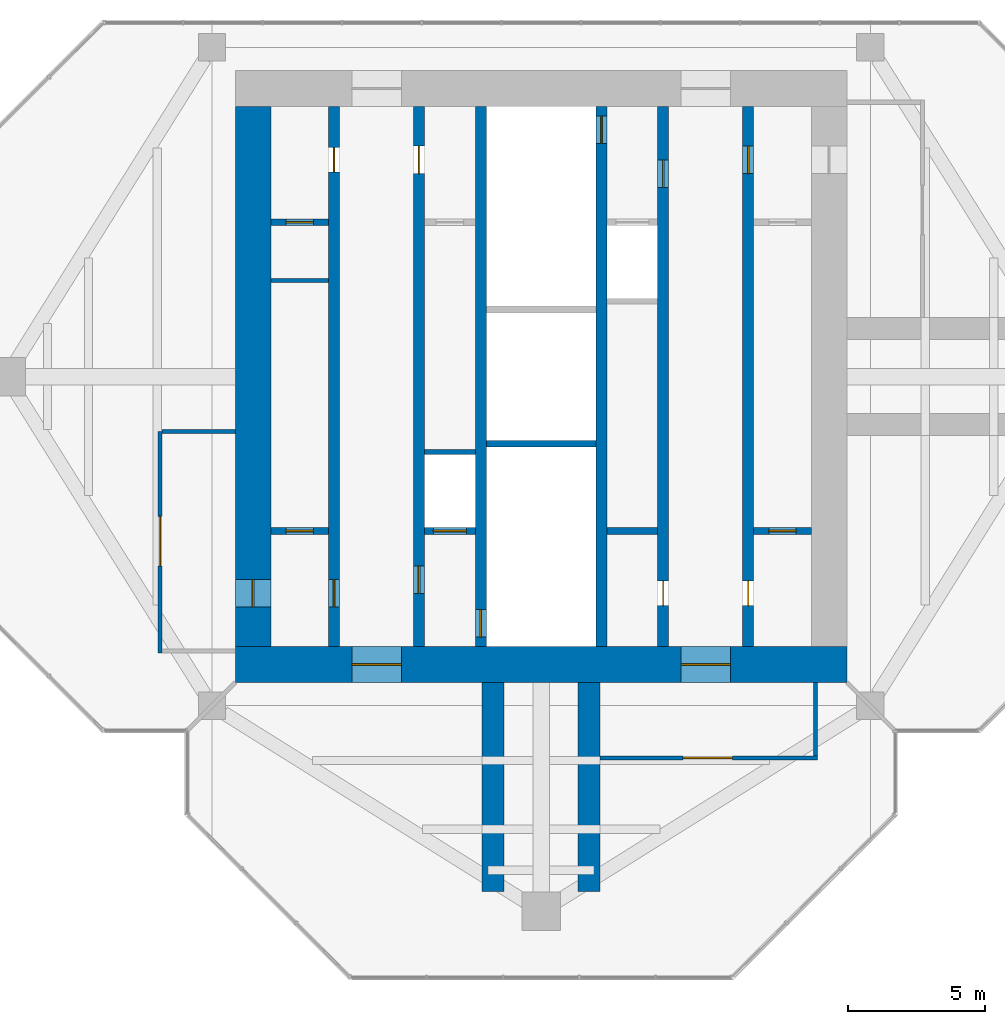
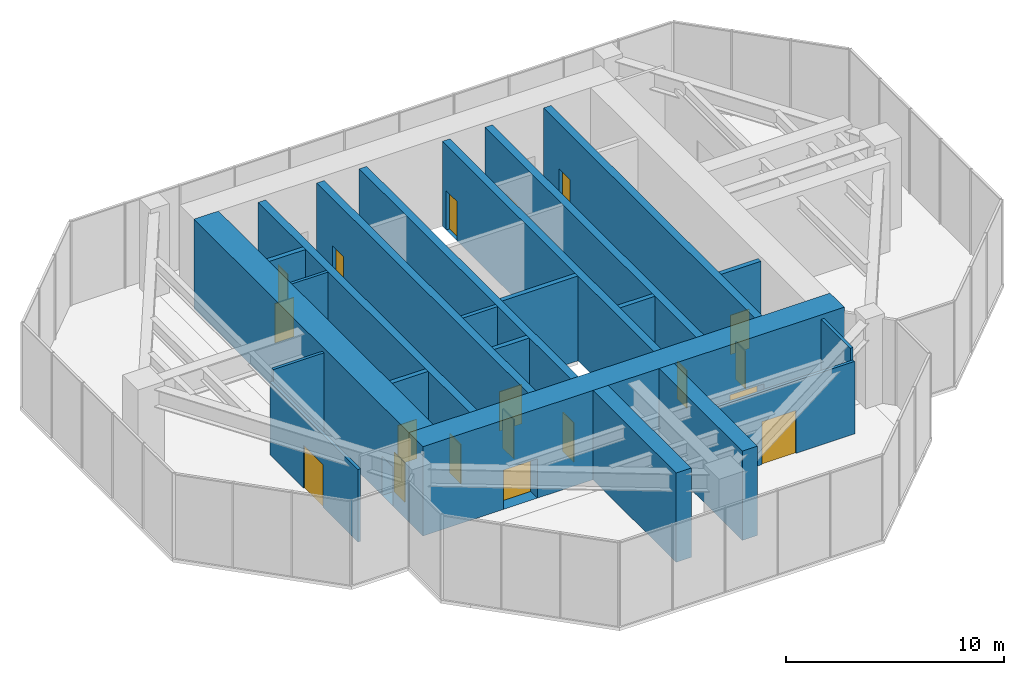
# One storey, part 9 of 10: 22 walls, 19 doors, 19 openings.
"""IFC4 building model written with IfcOpenShell, lengths in metres."""

from ifc_helpers import new_model, si_unit, direction, frame, frame_2d, origin, place, context, subcontext, project, spatial, rectangle, extrude, material, layer, layer_set, type_object, element, fill, save


model = new_model("IFC4")

# Units and contexts
model_context = context("Model", 3, precision=1e-05, world=origin(), true_north=direction((0.0, 1.0)))
body_context = subcontext(model_context, "Body", "Model", "MODEL_VIEW")
ifc_project = project(units=[si_unit("LENGTHUNIT", "METRE"), si_unit("AREAUNIT", "SQUARE_METRE"), si_unit("VOLUMEUNIT", "CUBIC_METRE"), si_unit("PLANEANGLEUNIT", "RADIAN"), si_unit("MASSUNIT", "GRAM", prefix="KILO")], contexts=[model_context])

# Site, building, storey
site_placement = place(None, origin())
site = spatial("IfcSite", under=ifc_project, at=site_placement, CompositionType="ELEMENT")
building_placement = place(site_placement, origin())
building = spatial("IfcBuilding", under=site, at=building_placement, Name="Mizan Broadcast Tower", CompositionType="ELEMENT")
storey_placement = place(building_placement, frame((0.0, 0.0, 311.300048828125)))
storey = spatial("IfcBuildingStorey", under=building, at=storey_placement, Name="L74", CompositionType="ELEMENT", Elevation=311.300048828125)

# Wall, openings, doors
ifc_material_1 = material(Name="Concrete C70/85", Category="concrete")
ifc_layer_1 = layer(ifc_material_1, 0.39990234375)
ifc_layer_set_1 = layer_set([ifc_layer_1], Name="Concrete C70/85")
wall_type_1 = type_object("IfcWallType", Name="CORE INTERNAL WALL 400", PredefinedType="SHEAR", material=ifc_layer_set_1)
wall_1_placement = place(storey_placement, frame((-7.550048828125, -9.85009765625, 0.0), z_axis=(0.0, 0.0, 1.0), x_axis=(0.0, 1.0, 0.0)))
wall_1 = element("IfcWall", 1, at=wall_1_placement, inside=storey, type_object=wall_type_1, Name="Core wall CORE/XW1", PredefinedType="SHEAR", context=body_context, shape_type="SweptSolid", body=[
    extrude(rectangle(XDim=19.7001953125, YDim=0.39990234375, at=frame_2d((9.85009765625, 0.0))), origin(), (0.0, 0.0, 1.0), 4.75),
])
opening_1_placement = place(wall_1_placement, frame((1.449951171875, 0.0, 0.0)))
opening_1 = element("IfcOpeningElement", 2, at=opening_1_placement, cuts=wall_1, Name="Opening D10F", PredefinedType="OPENING", context=body_context, shape_type="SweptSolid", body=[
    extrude(rectangle(XDim=1.0, YDim=2.199951171875, at=frame_2d((0.5, 1.10009765625))), frame((0.0, 0.2099609375, 0.0), z_axis=(0.0, -1.0, 0.0), x_axis=(1.0, 0.0, 0.0)), (0.0, 0.0, 1.0), 0.419921875),
])
opening_2_placement = place(wall_1_placement, frame((17.300048828125, 0.0, 0.0)))
opening_2 = element("IfcOpeningElement", 3, at=opening_2_placement, cuts=wall_1, Name="Opening D09", PredefinedType="OPENING", context=body_context, shape_type="SweptSolid", body=[
    extrude(rectangle(XDim=0.89990234375, YDim=2.10009765625, at=frame_2d((0.449951171875, 1.050048828125))), frame((0.0, 0.2099609375, 0.0), z_axis=(0.0, -1.0, 0.0), x_axis=(1.0, 0.0, 0.0)), (0.0, 0.0, 1.0), 0.419921875),
])
ifc_material_2 = material(Name="Steel door leaf in steel frame", Category="steel")
door_type_1 = type_object("IfcDoorType", Name="FIRE DOOR 1000 FD90", OperationType="SINGLE_SWING_LEFT", PredefinedType="DOOR", material=ifc_material_2)
door_1_placement = place(opening_1_placement, origin())
door_1 = element("IfcDoor", 4, at=door_1_placement, inside=storey, type_object=door_type_1, Name="West core passage door", OperationType="SINGLE_SWING_LEFT", OverallHeight=2.199951171875, OverallWidth=1.0, PredefinedType="DOOR", context=body_context, shape_type="SweptSolid", body=[
    extrude(rectangle(XDim=1.0, YDim=2.199951171875, at=frame_2d((0.5, 1.10009765625))), frame((0.0, 0.02490234375, 0.0), z_axis=(0.0, -1.0, 0.0), x_axis=(1.0, 0.0, 0.0)), (0.0, 0.0, 1.0), 0.050048828125),
])
fill(opening_1, door_1)
ifc_material_3 = material(Name="Timber door leaf in aluminium frame", Category="wood")
door_type_2 = type_object("IfcDoorType", Name="TOILET DOOR 900", OperationType="SINGLE_SWING_LEFT", PredefinedType="DOOR", material=ifc_material_3)
door_2_placement = place(opening_2_placement, origin())
door_2 = element("IfcDoor", 5, at=door_2_placement, inside=storey, type_object=door_type_2, Name="Male WC door", OperationType="SINGLE_SWING_RIGHT", OverallHeight=2.10009765625, OverallWidth=0.89990234375, PredefinedType="DOOR", context=body_context, shape_type="SweptSolid", body=[
    extrude(rectangle(XDim=0.89990234375, YDim=2.10009765625, at=frame_2d((0.449951171875, 1.050048828125))), frame((0.0, 0.02490234375, 0.0), z_axis=(0.0, -1.0, 0.0), x_axis=(1.0, 0.0, 0.0)), (0.0, 0.0, 1.0), 0.050048828125),
])
fill(opening_2, door_2)

wall_2_placement = place(storey_placement, frame((7.550048828125, 9.85009765625, 0.0), z_axis=(0.0, 0.0, 1.0), x_axis=(0.0, -1.0, 0.0)))
wall_2 = element("IfcWall", 6, at=wall_2_placement, inside=storey, type_object=wall_type_1, Name="Core wall CORE/XW1E", PredefinedType="SHEAR", context=body_context, shape_type="SweptSolid", body=[
    extrude(rectangle(XDim=19.7001953125, YDim=0.39990234375, at=frame_2d((9.85009765625, 0.0))), origin(), (0.0, 0.0, 1.0), 4.75),
])
opening_3_placement = place(wall_2_placement, frame((1.449951171875, 0.0, 0.0)))
opening_3 = element("IfcOpeningElement", 7, at=opening_3_placement, cuts=wall_2, Name="Opening D10F", PredefinedType="OPENING", context=body_context, shape_type="SweptSolid", body=[
    extrude(rectangle(XDim=1.0, YDim=2.199951171875, at=frame_2d((0.5, 1.10009765625))), frame((0.0, 0.2099609375, 0.0), z_axis=(0.0, -1.0, 0.0), x_axis=(1.0, 0.0, 0.0)), (0.0, 0.0, 1.0), 0.419921875),
])
opening_4_placement = place(wall_2_placement, frame((17.300048828125, 0.0, 0.0)))
opening_4 = element("IfcOpeningElement", 8, at=opening_4_placement, cuts=wall_2, Name="Opening D09", PredefinedType="OPENING", context=body_context, shape_type="SweptSolid", body=[
    extrude(rectangle(XDim=0.89990234375, YDim=2.10009765625, at=frame_2d((0.449951171875, 1.050048828125))), frame((0.0, 0.2099609375, 0.0), z_axis=(0.0, -1.0, 0.0), x_axis=(1.0, 0.0, 0.0)), (0.0, 0.0, 1.0), 0.419921875),
])
door_3_placement = place(opening_3_placement, origin())
door_3 = element("IfcDoor", 9, at=door_3_placement, inside=storey, type_object=door_type_1, Name="East core passage door", OperationType="SINGLE_SWING_LEFT", OverallHeight=2.199951171875, OverallWidth=1.0, PredefinedType="DOOR", context=body_context, shape_type="SweptSolid", body=[
    extrude(rectangle(XDim=1.0, YDim=2.199951171875, at=frame_2d((0.5, 1.10009765625))), frame((0.0, 0.02490234375, 0.0), z_axis=(0.0, -1.0, 0.0), x_axis=(1.0, 0.0, 0.0)), (0.0, 0.0, 1.0), 0.050048828125),
])
fill(opening_3, door_3)
door_4_placement = place(opening_4_placement, origin())
door_4 = element("IfcDoor", 10, at=door_4_placement, inside=storey, type_object=door_type_2, Name="Female WC door", OperationType="SINGLE_SWING_RIGHT", OverallHeight=2.10009765625, OverallWidth=0.89990234375, PredefinedType="DOOR", context=body_context, shape_type="SweptSolid", body=[
    extrude(rectangle(XDim=0.89990234375, YDim=2.10009765625, at=frame_2d((0.449951171875, 1.050048828125))), frame((0.0, 0.02490234375, 0.0), z_axis=(0.0, -1.0, 0.0), x_axis=(1.0, 0.0, 0.0)), (0.0, 0.0, 1.0), 0.050048828125),
])
fill(opening_4, door_4)

wall_3_placement = place(storey_placement, frame((-4.449951171875, -9.85009765625, 0.0), z_axis=(0.0, 0.0, 1.0), x_axis=(0.0, 1.0, 0.0)))
wall_3 = element("IfcWall", 11, at=wall_3_placement, inside=storey, type_object=wall_type_1, Name="Core wall CORE/XWH", PredefinedType="SHEAR", context=body_context, shape_type="SweptSolid", body=[
    extrude(rectangle(XDim=19.7001953125, YDim=0.39990234375, at=frame_2d((9.85009765625, 0.0))), origin(), (0.0, 0.0, 1.0), 4.75),
])
opening_5_placement = place(wall_3_placement, frame((1.949951171875, 0.0, 0.0)))
opening_5 = element("IfcOpeningElement", 12, at=opening_5_placement, cuts=wall_3, Name="Opening D10F", PredefinedType="OPENING", context=body_context, shape_type="SweptSolid", body=[
    extrude(rectangle(XDim=1.0, YDim=2.199951171875, at=frame_2d((0.5, 1.10009765625))), frame((0.0, 0.2099609375, 0.0), z_axis=(0.0, -1.0, 0.0), x_axis=(1.0, 0.0, 0.0)), (0.0, 0.0, 1.0), 0.419921875),
])
opening_6_placement = place(wall_3_placement, frame((17.25, 0.0, 0.0)))
opening_6 = element("IfcOpeningElement", 13, at=opening_6_placement, cuts=wall_3, Name="Opening D10A", PredefinedType="OPENING", context=body_context, shape_type="SweptSolid", body=[
    extrude(rectangle(XDim=1.0, YDim=2.10009765625, at=frame_2d((0.5, 1.050048828125))), frame((0.0, 0.2099609375, 0.0), z_axis=(0.0, -1.0, 0.0), x_axis=(1.0, 0.0, 0.0)), (0.0, 0.0, 1.0), 0.419921875),
])
ifc_material_4 = material(Name="Timber door leaf in aluminium frame", Category="wood")
door_type_3 = type_object("IfcDoorType", Name="ACCESSIBLE WC DOOR 1000", OperationType="SLIDING_TO_LEFT", PredefinedType="DOOR", material=ifc_material_4)
door_5_placement = place(opening_6_placement, origin())
door_5 = element("IfcDoor", 14, at=door_5_placement, inside=storey, type_object=door_type_3, Name="Accessible WC door", OperationType="SLIDING_TO_LEFT", OverallHeight=2.10009765625, OverallWidth=1.0, PredefinedType="DOOR", context=body_context, shape_type="SweptSolid", body=[
    extrude(rectangle(XDim=1.0, YDim=2.10009765625, at=frame_2d((0.5, 1.050048828125))), frame((0.0, 0.02490234375, 0.0), z_axis=(0.0, -1.0, 0.0), x_axis=(1.0, 0.0, 0.0)), (0.0, 0.0, 1.0), 0.050048828125),
])
fill(opening_6, door_5)
door_6_placement = place(opening_5_placement, origin())
door_6 = element("IfcDoor", 15, at=door_6_placement, inside=storey, type_object=door_type_1, Name="Firefighting lobby A door", OperationType="SINGLE_SWING_LEFT", OverallHeight=2.199951171875, OverallWidth=1.0, PredefinedType="DOOR", context=body_context, shape_type="SweptSolid", body=[
    extrude(rectangle(XDim=1.0, YDim=2.199951171875, at=frame_2d((0.5, 1.10009765625))), frame((0.0, 0.02490234375, 0.0), z_axis=(0.0, -1.0, 0.0), x_axis=(1.0, 0.0, 0.0)), (0.0, 0.0, 1.0), 0.050048828125),
])
fill(opening_5, door_6)

wall_4_placement = place(storey_placement, frame((4.449951171875, 9.85009765625, 0.0), z_axis=(0.0, 0.0, 1.0), x_axis=(0.0, -1.0, 0.0)))
wall_4 = element("IfcWall", 16, at=wall_4_placement, inside=storey, type_object=wall_type_1, Name="Core wall CORE/XWHE", PredefinedType="SHEAR", context=body_context, shape_type="SweptSolid", body=[
    extrude(rectangle(XDim=19.7001953125, YDim=0.39990234375, at=frame_2d((9.85009765625, 0.0))), origin(), (0.0, 0.0, 1.0), 4.75),
])
opening_7_placement = place(wall_4_placement, frame((1.949951171875, 0.0, 0.0)))
opening_7 = element("IfcOpeningElement", 17, at=opening_7_placement, cuts=wall_4, Name="Opening D10F", PredefinedType="OPENING", context=body_context, shape_type="SweptSolid", body=[
    extrude(rectangle(XDim=1.0, YDim=2.199951171875, at=frame_2d((0.5, 1.10009765625))), frame((0.0, 0.2099609375, 0.0), z_axis=(0.0, -1.0, 0.0), x_axis=(1.0, 0.0, 0.0)), (0.0, 0.0, 1.0), 0.419921875),
])
opening_8_placement = place(wall_4_placement, frame((17.300048828125, 0.0, 0.0)))
opening_8 = element("IfcOpeningElement", 18, at=opening_8_placement, cuts=wall_4, Name="Opening D09", PredefinedType="OPENING", context=body_context, shape_type="SweptSolid", body=[
    extrude(rectangle(XDim=0.89990234375, YDim=2.10009765625, at=frame_2d((0.449951171875, 1.050048828125))), frame((0.0, 0.2099609375, 0.0), z_axis=(0.0, -1.0, 0.0), x_axis=(1.0, 0.0, 0.0)), (0.0, 0.0, 1.0), 0.419921875),
])
door_7_placement = place(opening_7_placement, origin())
door_7 = element("IfcDoor", 19, at=door_7_placement, inside=storey, type_object=door_type_1, Name="Firefighting lobby B door", OperationType="SINGLE_SWING_LEFT", OverallHeight=2.199951171875, OverallWidth=1.0, PredefinedType="DOOR", context=body_context, shape_type="SweptSolid", body=[
    extrude(rectangle(XDim=1.0, YDim=2.199951171875, at=frame_2d((0.5, 1.10009765625))), frame((0.0, 0.02490234375, 0.0), z_axis=(0.0, -1.0, 0.0), x_axis=(1.0, 0.0, 0.0)), (0.0, 0.0, 1.0), 0.050048828125),
])
fill(opening_7, door_7)
door_8_placement = place(opening_8_placement, origin())
door_8 = element("IfcDoor", 20, at=door_8_placement, inside=storey, type_object=door_type_2, Name="Cleaner's store door", OperationType="SINGLE_SWING_RIGHT", OverallHeight=2.10009765625, OverallWidth=0.89990234375, PredefinedType="DOOR", context=body_context, shape_type="SweptSolid", body=[
    extrude(rectangle(XDim=0.89990234375, YDim=2.10009765625, at=frame_2d((0.449951171875, 1.050048828125))), frame((0.0, 0.02490234375, 0.0), z_axis=(0.0, -1.0, 0.0), x_axis=(1.0, 0.0, 0.0)), (0.0, 0.0, 1.0), 0.050048828125),
])
fill(opening_8, door_8)

# Wall, opening, door
wall_5_placement = place(storey_placement, frame((-2.199951171875, -9.85009765625, 0.0), z_axis=(0.0, 0.0, 1.0), x_axis=(0.0, 1.0, 0.0)))
wall_5 = element("IfcWall", 21, at=wall_5_placement, inside=storey, type_object=wall_type_1, Name="Core wall CORE/XW2", PredefinedType="SHEAR", context=body_context, shape_type="SweptSolid", body=[
    extrude(rectangle(XDim=19.7001953125, YDim=0.39990234375, at=frame_2d((9.85009765625, 0.0))), origin(), (0.0, 0.0, 1.0), 4.75),
])
opening_9_placement = place(wall_5_placement, frame((0.35009765625, 0.0, 0.0)))
opening_9 = element("IfcOpeningElement", 22, at=opening_9_placement, cuts=wall_5, Name="Opening D10S", PredefinedType="OPENING", context=body_context, shape_type="SweptSolid", body=[
    extrude(rectangle(XDim=1.0, YDim=2.199951171875, at=frame_2d((0.5, 1.10009765625))), frame((0.0, 0.2099609375, 0.0), z_axis=(0.0, -1.0, 0.0), x_axis=(1.0, 0.0, 0.0)), (0.0, 0.0, 1.0), 0.419921875),
])
ifc_material_5 = material(Name="Steel door leaf in steel frame", Category="steel")
door_type_4 = type_object("IfcDoorType", Name="STAIR DOOR 1000 FD90S", OperationType="SINGLE_SWING_RIGHT", PredefinedType="DOOR", material=ifc_material_5)
door_9_placement = place(opening_9_placement, origin())
door_9 = element("IfcDoor", 23, at=door_9_placement, inside=storey, type_object=door_type_4, Name="Stair A door", OperationType="SINGLE_SWING_RIGHT", OverallHeight=2.199951171875, OverallWidth=1.0, PredefinedType="DOOR", context=body_context, shape_type="SweptSolid", body=[
    extrude(rectangle(XDim=1.0, YDim=2.199951171875, at=frame_2d((0.5, 1.10009765625))), frame((0.0, 0.02490234375, 0.0), z_axis=(0.0, -1.0, 0.0), x_axis=(1.0, 0.0, 0.0)), (0.0, 0.0, 1.0), 0.050048828125),
])
fill(opening_9, door_9)

wall_6_placement = place(storey_placement, frame((2.199951171875, 9.85009765625, 0.0), z_axis=(0.0, 0.0, 1.0), x_axis=(0.0, -1.0, 0.0)))
wall_6 = element("IfcWall", 24, at=wall_6_placement, inside=storey, type_object=wall_type_1, Name="Core wall CORE/XW2E", PredefinedType="SHEAR", context=body_context, shape_type="SweptSolid", body=[
    extrude(rectangle(XDim=19.7001953125, YDim=0.39990234375, at=frame_2d((9.85009765625, 0.0))), origin(), (0.0, 0.0, 1.0), 4.75),
])
opening_10_placement = place(wall_6_placement, frame((0.35009765625, 0.0, 0.0)))
opening_10 = element("IfcOpeningElement", 25, at=opening_10_placement, cuts=wall_6, Name="Opening D10S", PredefinedType="OPENING", context=body_context, shape_type="SweptSolid", body=[
    extrude(rectangle(XDim=1.0, YDim=2.199951171875, at=frame_2d((0.5, 1.10009765625))), frame((0.0, 0.2099609375, 0.0), z_axis=(0.0, -1.0, 0.0), x_axis=(1.0, 0.0, 0.0)), (0.0, 0.0, 1.0), 0.419921875),
])
door_10_placement = place(opening_10_placement, origin())
door_10 = element("IfcDoor", 26, at=door_10_placement, inside=storey, type_object=door_type_4, Name="Stair B door", OperationType="SINGLE_SWING_RIGHT", OverallHeight=2.199951171875, OverallWidth=1.0, PredefinedType="DOOR", context=body_context, shape_type="SweptSolid", body=[
    extrude(rectangle(XDim=1.0, YDim=2.199951171875, at=frame_2d((0.5, 1.10009765625))), frame((0.0, 0.02490234375, 0.0), z_axis=(0.0, -1.0, 0.0), x_axis=(1.0, 0.0, 0.0)), (0.0, 0.0, 1.0), 0.050048828125),
])
fill(opening_10, door_10)

# Wall
ifc_material_6 = material(Name="Concrete blockwork", Category="masonry")
ifc_layer_2 = layer(ifc_material_6, 0.14990234375)
ifc_layer_set_2 = layer_set([ifc_layer_2], Name="Concrete blockwork")
wall_type_2 = type_object("IfcWallType", Name="CORE PARTITION 150", PredefinedType="SOLIDWALL", material=ifc_layer_set_2)
wall_7_placement = place(storey_placement, frame((-9.85009765625, 3.5, 0.0), z_axis=(0.0, 0.0, 1.0), x_axis=(1.0, 0.0, 0.0)))
element("IfcWall", 27, at=wall_7_placement, inside=storey, type_object=wall_type_2, Name="Core partition CORE/XP1", PredefinedType="SOLIDWALL", context=body_context, shape_type="SweptSolid", body=[
    extrude(rectangle(XDim=2.10009765625, YDim=0.14990234375, at=frame_2d((1.050048828125, 0.0))), origin(), (0.0, 0.0, 1.0), 4.75),
])

# Wall, openings, doors
ifc_material_7 = material(Name="Concrete C70/85", Category="concrete")
ifc_layer_3 = layer(ifc_material_7, 1.300048828125)
ifc_layer_set_3 = layer_set([ifc_layer_3], Name="Concrete C70/85")
wall_type_3 = type_object("IfcWallType", Name="CORE WALL 1300", PredefinedType="SHEAR", material=ifc_layer_set_3)
wall_8_placement = place(storey_placement, frame((11.14990234375, -10.5, 0.0), z_axis=(0.0, 0.0, 1.0), x_axis=(-1.0, 0.0, 0.0)))
wall_8 = element("IfcWall", 28, at=wall_8_placement, inside=storey, type_object=wall_type_3, Name="Core wall S L74", PredefinedType="SHEAR", context=body_context, shape_type="SweptSolid", body=[
    extrude(rectangle(XDim=22.2998046875, YDim=1.300048828125, at=frame_2d((11.14990234375, 0.0))), origin(), (0.0, 0.0, 1.0), 5.0),
])
opening_11_placement = place(wall_8_placement, frame((16.25, 0.0, 0.0)))
opening_11 = element("IfcOpeningElement", 29, at=opening_11_placement, cuts=wall_8, Name="Opening D18F", PredefinedType="OPENING", context=body_context, shape_type="SweptSolid", body=[
    extrude(rectangle(XDim=1.800048828125, YDim=2.199951171875, at=frame_2d((0.89990234375, 1.10009765625))), frame((0.0, 0.659912109375, 0.0), z_axis=(0.0, -1.0, 0.0), x_axis=(1.0, 0.0, 0.0)), (0.0, 0.0, 1.0), 1.320068359375),
])
opening_12_placement = place(wall_8_placement, frame((4.25, 0.0, 0.0)))
opening_12 = element("IfcOpeningElement", 30, at=opening_12_placement, cuts=wall_8, Name="Opening D18F", PredefinedType="OPENING", context=body_context, shape_type="SweptSolid", body=[
    extrude(rectangle(XDim=1.800048828125, YDim=2.199951171875, at=frame_2d((0.89990234375, 1.10009765625))), frame((0.0, 0.659912109375, 0.0), z_axis=(0.0, -1.0, 0.0), x_axis=(1.0, 0.0, 0.0)), (0.0, 0.0, 1.0), 1.320068359375),
])
ifc_material_8 = material(Name="Steel door leaf in steel frame", Category="steel")
door_type_5 = type_object("IfcDoorType", Name="LOBBY DOUBLE DOOR 1800 FD90", OperationType="DOUBLE_DOOR_DOUBLE_SWING", PredefinedType="DOOR", material=ifc_material_8)
door_11_placement = place(opening_11_placement, origin())
door_11 = element("IfcDoor", 31, at=door_11_placement, inside=storey, type_object=door_type_5, Name="West lift lobby south door", OperationType="DOUBLE_DOOR_DOUBLE_SWING", OverallHeight=2.199951171875, OverallWidth=1.800048828125, PredefinedType="DOOR", context=body_context, shape_type="SweptSolid", body=[
    extrude(rectangle(XDim=1.800048828125, YDim=2.199951171875, at=frame_2d((0.89990234375, 1.10009765625))), frame((0.0, 0.02490234375, 0.0), z_axis=(0.0, -1.0, 0.0), x_axis=(1.0, 0.0, 0.0)), (0.0, 0.0, 1.0), 0.050048828125),
])
fill(opening_11, door_11)
door_12_placement = place(opening_12_placement, origin())
door_12 = element("IfcDoor", 32, at=door_12_placement, inside=storey, type_object=door_type_5, Name="East lift lobby south door", OperationType="DOUBLE_DOOR_DOUBLE_SWING", OverallHeight=2.199951171875, OverallWidth=1.800048828125, PredefinedType="DOOR", context=body_context, shape_type="SweptSolid", body=[
    extrude(rectangle(XDim=1.800048828125, YDim=2.199951171875, at=frame_2d((0.89990234375, 1.10009765625))), frame((0.0, 0.02490234375, 0.0), z_axis=(0.0, -1.0, 0.0), x_axis=(1.0, 0.0, 0.0)), (0.0, 0.0, 1.0), 0.050048828125),
])
fill(opening_12, door_12)

# Wall, opening, door
wall_9_placement = place(storey_placement, frame((-10.5, 9.85009765625, 0.0), z_axis=(0.0, 0.0, 1.0), x_axis=(0.0, -1.0, 0.0)))
wall_9 = element("IfcWall", 33, at=wall_9_placement, inside=storey, type_object=wall_type_3, Name="Core wall W L74", PredefinedType="SHEAR", context=body_context, shape_type="SweptSolid", body=[
    extrude(rectangle(XDim=19.7001953125, YDim=1.300048828125, at=frame_2d((9.85009765625, 0.0))), origin(), (0.0, 0.0, 1.0), 5.0),
])
opening_13_placement = place(wall_9_placement, frame((17.25, 0.0, 0.0)))
opening_13 = element("IfcOpeningElement", 34, at=opening_13_placement, cuts=wall_9, Name="Opening D10F", PredefinedType="OPENING", context=body_context, shape_type="SweptSolid", body=[
    extrude(rectangle(XDim=1.0, YDim=2.199951171875, at=frame_2d((0.5, 1.10009765625))), frame((0.0, 0.659912109375, 0.0), z_axis=(0.0, -1.0, 0.0), x_axis=(1.0, 0.0, 0.0)), (0.0, 0.0, 1.0), 1.320068359375),
])
door_13_placement = place(opening_13_placement, origin())
door_13 = element("IfcDoor", 35, at=door_13_placement, inside=storey, type_object=door_type_1, Name="West core passage arm door", OperationType="SINGLE_SWING_RIGHT", OverallHeight=2.199951171875, OverallWidth=1.0, PredefinedType="DOOR", context=body_context, shape_type="SweptSolid", body=[
    extrude(rectangle(XDim=1.0, YDim=2.199951171875, at=frame_2d((0.5, 1.10009765625))), frame((0.0, 0.02490234375, 0.0), z_axis=(0.0, -1.0, 0.0), x_axis=(1.0, 0.0, 0.0)), (0.0, 0.0, 1.0), 0.050048828125),
])
fill(opening_13, door_13)

# Wall
ifc_material_9 = material(Name="Concrete blockwork", Category="masonry")
ifc_layer_4 = layer(ifc_material_9, 0.199951171875)
ifc_layer_set_4 = layer_set([ifc_layer_4], Name="Concrete blockwork")
wall_type_4 = type_object("IfcWallType", Name="LIFT SHAFT WALL 200", PredefinedType="SOLIDWALL", material=ifc_layer_set_4)
wall_10_placement = place(storey_placement, frame((-4.25, -2.75, 0.0), z_axis=(0.0, 0.0, 1.0), x_axis=(1.0, 0.0, 0.0)))
element("IfcWall", 36, at=wall_10_placement, inside=storey, type_object=wall_type_4, Name="Lift shaft wall CORE/SW2-1", PredefinedType="SOLIDWALL", context=body_context, shape_type="SweptSolid", body=[
    extrude(rectangle(XDim=1.85009765625, YDim=0.199951171875, at=frame_2d((0.925048828125, 0.0))), origin(), (0.0, 0.0, 1.0), 4.75),
])

# Wall, opening, door
ifc_material_10 = material(Name="Concrete blockwork", Category="masonry")
ifc_layer_5 = layer(ifc_material_10, 0.25)
ifc_layer_set_5 = layer_set([ifc_layer_5], Name="Concrete blockwork")
wall_type_5 = type_object("IfcWallType", Name="LOBBY ENCLOSURE WALL 250", PredefinedType="SOLIDWALL", material=ifc_layer_set_5)
wall_11_placement = place(storey_placement, frame((-9.85009765625, 5.625, 0.0), z_axis=(0.0, 0.0, 1.0), x_axis=(1.0, 0.0, 0.0)))
wall_11 = element("IfcWall", 37, at=wall_11_placement, inside=storey, type_object=wall_type_5, Name="Lobby enclosure wall CORE/BW1N", PredefinedType="SOLIDWALL", context=body_context, shape_type="SweptSolid", body=[
    extrude(rectangle(XDim=2.10009765625, YDim=0.25, at=frame_2d((1.050048828125, 0.0))), origin(), (0.0, 0.0, 1.0), 4.75),
])
opening_14_placement = place(wall_11_placement, frame((0.550048828125, 0.0, 0.0)))
opening_14 = element("IfcOpeningElement", 38, at=opening_14_placement, cuts=wall_11, Name="Opening D10F", PredefinedType="OPENING", context=body_context, shape_type="SweptSolid", body=[
    extrude(rectangle(XDim=1.0, YDim=2.199951171875, at=frame_2d((0.5, 1.10009765625))), frame((0.0, 0.135009765625, 0.0), z_axis=(0.0, -1.0, 0.0), x_axis=(1.0, 0.0, 0.0)), (0.0, 0.0, 1.0), 0.27001953125),
])
door_14_placement = place(opening_14_placement, origin())
door_14 = element("IfcDoor", 39, at=door_14_placement, inside=storey, type_object=door_type_1, Name="Plant spares store door", OperationType="SINGLE_SWING_RIGHT", OverallHeight=2.199951171875, OverallWidth=1.0, PredefinedType="DOOR", context=body_context, shape_type="SweptSolid", body=[
    extrude(rectangle(XDim=1.0, YDim=2.199951171875, at=frame_2d((0.5, 1.10009765625))), frame((0.0, 0.02490234375, 0.0), z_axis=(0.0, -1.0, 0.0), x_axis=(1.0, 0.0, 0.0)), (0.0, 0.0, 1.0), 0.050048828125),
])
fill(opening_14, door_14)

wall_12_placement = place(storey_placement, frame((-9.85009765625, -5.625, 0.0), z_axis=(0.0, 0.0, 1.0), x_axis=(1.0, 0.0, 0.0)))
wall_12 = element("IfcWall", 40, at=wall_12_placement, inside=storey, type_object=wall_type_5, Name="Lobby enclosure wall CORE/BW1S", PredefinedType="SOLIDWALL", context=body_context, shape_type="SweptSolid", body=[
    extrude(rectangle(XDim=2.10009765625, YDim=0.25, at=frame_2d((1.050048828125, 0.0))), origin(), (0.0, 0.0, 1.0), 4.75),
])
opening_15_placement = place(wall_12_placement, frame((0.550048828125, 0.0, 0.0)))
opening_15 = element("IfcOpeningElement", 41, at=opening_15_placement, cuts=wall_12, Name="Opening D10F", PredefinedType="OPENING", context=body_context, shape_type="SweptSolid", body=[
    extrude(rectangle(XDim=1.0, YDim=2.199951171875, at=frame_2d((0.5, 1.10009765625))), frame((0.0, 0.135009765625, 0.0), z_axis=(0.0, -1.0, 0.0), x_axis=(1.0, 0.0, 0.0)), (0.0, 0.0, 1.0), 0.27001953125),
])
door_15_placement = place(opening_15_placement, origin())
door_15 = element("IfcDoor", 42, at=door_15_placement, inside=storey, type_object=door_type_1, Name="Engineer's office door", OperationType="SINGLE_SWING_RIGHT", OverallHeight=2.199951171875, OverallWidth=1.0, PredefinedType="DOOR", context=body_context, shape_type="SweptSolid", body=[
    extrude(rectangle(XDim=1.0, YDim=2.199951171875, at=frame_2d((0.5, 1.10009765625))), frame((0.0, 0.02490234375, 0.0), z_axis=(0.0, -1.0, 0.0), x_axis=(1.0, 0.0, 0.0)), (0.0, 0.0, 1.0), 0.050048828125),
])
fill(opening_15, door_15)

wall_13_placement = place(storey_placement, frame((-4.25, -5.625, 0.0), z_axis=(0.0, 0.0, 1.0), x_axis=(1.0, 0.0, 0.0)))
wall_13 = element("IfcWall", 43, at=wall_13_placement, inside=storey, type_object=wall_type_5, Name="Lobby enclosure wall CORE/BW2S", PredefinedType="SOLIDWALL", context=body_context, shape_type="SweptSolid", body=[
    extrude(rectangle(XDim=1.85009765625, YDim=0.25, at=frame_2d((0.925048828125, 0.0))), origin(), (0.0, 0.0, 1.0), 4.75),
])
opening_16_placement = place(wall_13_placement, frame((0.324951171875, 0.0, 0.0)))
opening_16 = element("IfcOpeningElement", 44, at=opening_16_placement, cuts=wall_13, Name="Opening LDF", PredefinedType="OPENING", context=body_context, shape_type="SweptSolid", body=[
    extrude(rectangle(XDim=1.199951171875, YDim=2.199951171875, at=frame_2d((0.60009765625, 1.10009765625))), frame((0.0, 0.135009765625, 0.0), z_axis=(0.0, -1.0, 0.0), x_axis=(1.0, 0.0, 0.0)), (0.0, 0.0, 1.0), 0.27001953125),
])
ifc_material_11 = material(Name="Steel door leaf in steel frame", Category="steel")
door_type_6 = type_object("IfcDoorType", Name="FIREFIGHTING LIFT LANDING DOOR 1200", OperationType="SLIDING_TO_LEFT", PredefinedType="DOOR", material=ifc_material_11)
door_16_placement = place(opening_16_placement, origin())
door_16 = element("IfcDoor", 45, at=door_16_placement, inside=storey, type_object=door_type_6, Name="Landing door FF1", OperationType="SLIDING_TO_LEFT", OverallHeight=2.199951171875, OverallWidth=1.199951171875, PredefinedType="DOOR", context=body_context, shape_type="SweptSolid", body=[
    extrude(rectangle(XDim=1.199951171875, YDim=2.199951171875, at=frame_2d((0.60009765625, 1.10009765625))), frame((0.0, 0.02490234375, 0.0), z_axis=(0.0, -1.0, 0.0), x_axis=(1.0, 0.0, 0.0)), (0.0, 0.0, 1.0), 0.050048828125),
])
fill(opening_16, door_16)

# Wall
wall_14_placement = place(storey_placement, frame((2.39990234375, -5.625, 0.0), z_axis=(0.0, 0.0, 1.0), x_axis=(1.0, 0.0, 0.0)))
element("IfcWall", 46, at=wall_14_placement, inside=storey, type_object=wall_type_5, Name="Lobby enclosure wall CORE/BE2S", PredefinedType="SOLIDWALL", context=body_context, shape_type="SweptSolid", body=[
    extrude(rectangle(XDim=1.85009765625, YDim=0.25, at=frame_2d((0.925048828125, 0.0))), origin(), (0.0, 0.0, 1.0), 4.75),
])

# Wall, opening, door
wall_15_placement = place(storey_placement, frame((7.75, -5.625, 0.0), z_axis=(0.0, 0.0, 1.0), x_axis=(1.0, 0.0, 0.0)))
wall_15 = element("IfcWall", 47, at=wall_15_placement, inside=storey, type_object=wall_type_5, Name="Lobby enclosure wall CORE/BE1S", PredefinedType="SOLIDWALL", context=body_context, shape_type="SweptSolid", body=[
    extrude(rectangle(XDim=2.10009765625, YDim=0.25, at=frame_2d((1.050048828125, 0.0))), origin(), (0.0, 0.0, 1.0), 4.75),
])
opening_17_placement = place(wall_15_placement, frame((0.550048828125, 0.0, 0.0)))
opening_17 = element("IfcOpeningElement", 48, at=opening_17_placement, cuts=wall_15, Name="Opening D10F", PredefinedType="OPENING", context=body_context, shape_type="SweptSolid", body=[
    extrude(rectangle(XDim=1.0, YDim=2.199951171875, at=frame_2d((0.5, 1.10009765625))), frame((0.0, 0.135009765625, 0.0), z_axis=(0.0, -1.0, 0.0), x_axis=(1.0, 0.0, 0.0)), (0.0, 0.0, 1.0), 0.27001953125),
])
door_17_placement = place(opening_17_placement, origin())
door_17 = element("IfcDoor", 49, at=door_17_placement, inside=storey, type_object=door_type_1, Name="Engineer's store door", OperationType="SINGLE_SWING_LEFT", OverallHeight=2.199951171875, OverallWidth=1.0, PredefinedType="DOOR", context=body_context, shape_type="SweptSolid", body=[
    extrude(rectangle(XDim=1.0, YDim=2.199951171875, at=frame_2d((0.5, 1.10009765625))), frame((0.0, 0.02490234375, 0.0), z_axis=(0.0, -1.0, 0.0), x_axis=(1.0, 0.0, 0.0)), (0.0, 0.0, 1.0), 0.050048828125),
])
fill(opening_17, door_17)

# Wall
wall_16_placement = place(storey_placement, frame((-2.0, -2.449951171875, 0.0), z_axis=(0.0, 0.0, 1.0), x_axis=(1.0, 0.0, 0.0)))
element("IfcWall", 50, at=wall_16_placement, inside=storey, type_object=wall_type_5, Name="Lobby enclosure wall CORE/STA", PredefinedType="SOLIDWALL", context=body_context, shape_type="SweptSolid", body=[
    extrude(rectangle(XDim=4.0, YDim=0.25, at=frame_2d((2.0, 0.0))), origin(), (0.0, 0.0, 1.0), 4.75),
])

# Wall, opening, door
ifc_material_12 = material(Name="Concrete blockwork", Category="masonry")
ifc_layer_6 = layer(ifc_material_12, 0.14990234375)
ifc_layer_set_6 = layer_set([ifc_layer_6], Name="Concrete blockwork")
wall_type_6 = type_object("IfcWallType", Name="PLANT ROOM ENCLOSURE WALL 150", PredefinedType="SOLIDWALL", material=ifc_layer_set_6)
wall_17_placement = place(storey_placement, frame((-13.89990234375, -2.0, 0.0), z_axis=(0.0, 0.0, 1.0), x_axis=(0.0, -1.0, 0.0)))
wall_17 = element("IfcWall", 51, at=wall_17_placement, inside=storey, type_object=wall_type_6, Name="Plant room wall PT/WLU", PredefinedType="SOLIDWALL", context=body_context, shape_type="SweptSolid", body=[
    extrude(rectangle(XDim=8.074951171875, YDim=0.14990234375, at=frame_2d((4.03759765625, 0.0))), origin(), (0.0, 0.0, 1.0), 4.06005859375),
])
opening_18_placement = place(wall_17_placement, frame((3.10009765625, 0.0, 0.0)))
opening_18 = element("IfcOpeningElement", 52, at=opening_18_placement, cuts=wall_17, Name="Opening D18P", PredefinedType="OPENING", context=body_context, shape_type="SweptSolid", body=[
    extrude(rectangle(XDim=1.800048828125, YDim=2.39990234375, at=frame_2d((0.89990234375, 1.199951171875))), frame((0.0, 0.0849609375, 0.0), z_axis=(0.0, -1.0, 0.0), x_axis=(1.0, 0.0, 0.0)), (0.0, 0.0, 1.0), 0.169921875),
])
ifc_material_13 = material(Name="Steel door leaf in steel frame", Category="steel")
door_type_7 = type_object("IfcDoorType", Name="PLANT ROOM DOUBLE DOOR 1800x2400 FD90", OperationType="DOUBLE_DOOR_DOUBLE_SWING", PredefinedType="DOOR", material=ifc_material_13)
door_18_placement = place(opening_18_placement, origin())
door_18 = element("IfcDoor", 53, at=door_18_placement, inside=storey, type_object=door_type_7, Name="Pump and tank room door", OperationType="DOUBLE_DOOR_DOUBLE_SWING", OverallHeight=2.39990234375, OverallWidth=1.800048828125, PredefinedType="DOOR", context=body_context, shape_type="SweptSolid", body=[
    extrude(rectangle(XDim=1.800048828125, YDim=2.39990234375, at=frame_2d((0.89990234375, 1.199951171875))), frame((0.0, 0.02490234375, 0.0), z_axis=(0.0, -1.0, 0.0), x_axis=(1.0, 0.0, 0.0)), (0.0, 0.0, 1.0), 0.050048828125),
])
fill(opening_18, door_18)

# Wall
wall_18_placement = place(storey_placement, frame((-11.14990234375, -2.0, 0.0), z_axis=(0.0, 0.0, 1.0), x_axis=(-1.0, 0.0, 0.0)))
element("IfcWall", 54, at=wall_18_placement, inside=storey, type_object=wall_type_6, Name="Plant room wall PT/WLS", PredefinedType="SOLIDWALL", context=body_context, shape_type="SweptSolid", body=[
    extrude(rectangle(XDim=2.675048828125, YDim=0.14990234375, at=frame_2d((1.33740234375, 0.0))), origin(), (0.0, 0.0, 1.0), 4.75),
])

# Wall, opening, door
wall_19_placement = place(storey_placement, frame((2.14990234375, -13.89990234375, 0.0), z_axis=(0.0, 0.0, 1.0), x_axis=(1.0, 0.0, 0.0)))
wall_19 = element("IfcWall", 55, at=wall_19_placement, inside=storey, type_object=wall_type_6, Name="Plant room wall PT/SLU", PredefinedType="SOLIDWALL", context=body_context, shape_type="SweptSolid", body=[
    extrude(rectangle(XDim=7.925048828125, YDim=0.14990234375, at=frame_2d((3.96240234375, 0.0))), origin(), (0.0, 0.0, 1.0), 4.06005859375),
])
opening_19_placement = place(wall_19_placement, frame((3.02490234375, 0.0, 0.0)))
opening_19 = element("IfcOpeningElement", 56, at=opening_19_placement, cuts=wall_19, Name="Opening D18P", PredefinedType="OPENING", context=body_context, shape_type="SweptSolid", body=[
    extrude(rectangle(XDim=1.800048828125, YDim=2.39990234375, at=frame_2d((0.89990234375, 1.199951171875))), frame((0.0, 0.0849609375, 0.0), z_axis=(0.0, -1.0, 0.0), x_axis=(1.0, 0.0, 0.0)), (0.0, 0.0, 1.0), 0.169921875),
])
door_19_placement = place(opening_19_placement, origin())
door_19 = element("IfcDoor", 57, at=door_19_placement, inside=storey, type_object=door_type_7, Name="Air handling plant room door", OperationType="DOUBLE_DOOR_DOUBLE_SWING", OverallHeight=2.39990234375, OverallWidth=1.800048828125, PredefinedType="DOOR", context=body_context, shape_type="SweptSolid", body=[
    extrude(rectangle(XDim=1.800048828125, YDim=2.39990234375, at=frame_2d((0.89990234375, 1.199951171875))), frame((0.0, 0.02490234375, 0.0), z_axis=(0.0, -1.0, 0.0), x_axis=(1.0, 0.0, 0.0)), (0.0, 0.0, 1.0), 0.050048828125),
])
fill(opening_19, door_19)

# Walls
wall_20_placement = place(storey_placement, frame((10.0, -11.14990234375, 0.0), z_axis=(0.0, 0.0, 1.0), x_axis=(0.0, -1.0, 0.0)))
element("IfcWall", 58, at=wall_20_placement, inside=storey, type_object=wall_type_6, Name="Plant room wall PT/SLV", PredefinedType="SOLIDWALL", context=body_context, shape_type="SweptSolid", body=[
    extrude(rectangle(XDim=2.675048828125, YDim=0.14990234375, at=frame_2d((1.33740234375, 0.0))), origin(), (0.0, 0.0, 1.0), 4.75),
])
ifc_material_14 = material(Name="Concrete C70/85", Category="concrete")
ifc_layer_7 = layer(ifc_material_14, 0.800048828125)
ifc_layer_set_7 = layer_set([ifc_layer_7], Name="Concrete C70/85")
wall_type_7 = type_object("IfcWallType", Name="SPINE WALL 800", PredefinedType="SHEAR", material=ifc_layer_set_7)
for number, where, z_axis, x_axis, name in (
    (59, (-1.75, -11.14990234375, 0.0), (0.0, 0.0, 1.0), (0.0, -1.0, 0.0), "Spine wall SR L74"),
    (60, (1.75, -11.14990234375, 0.0), (0.0, 0.0, 1.0), (0.0, -1.0, 0.0), "Spine wall SL L74"),
):
    element("IfcWall", number, at=place(storey_placement, frame(where, z_axis=z_axis, x_axis=x_axis)), inside=storey, type_object=wall_type_7, Name=name, PredefinedType="SHEAR", context=body_context, shape_type="SweptSolid", body=[
        extrude(rectangle(XDim=7.625, YDim=0.800048828125, at=frame_2d((3.8125, 0.0))), origin(), (0.0, 0.0, 1.0), 5.0),
    ])

save(model, "model.ifc")
